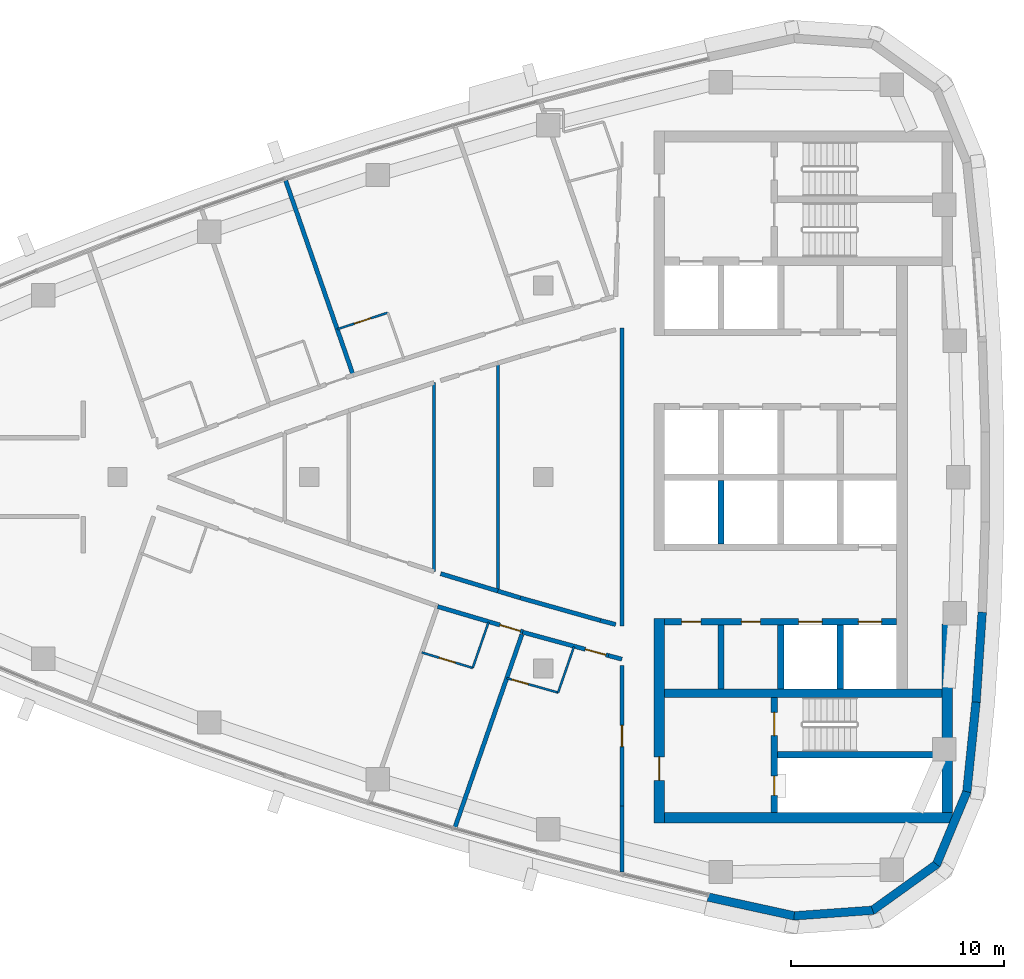
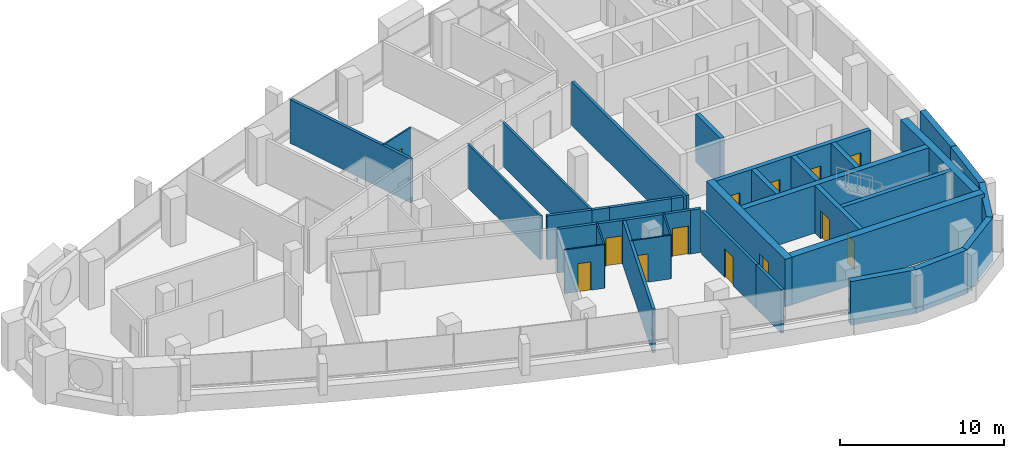
# One storey, part 8 of 14: 36 walls, 13 doors, 13 openings.
"""IFC4 building model written with IfcOpenShell, lengths in metres."""

from ifc_helpers import new_model, si_unit, direction, frame, frame_2d, origin, place, context, subcontext, project, spatial, polyline, rectangle, outline, extrude, material, layer, layer_set, type_object, element, fill, save


model = new_model("IFC4")

# Units and contexts
model_context = context("Model", 3, precision=1e-05, world=origin(), true_north=direction((0.0, 1.0)))
body_context = subcontext(model_context, "Body", "Model", "MODEL_VIEW")
ifc_project = project(units=[si_unit("LENGTHUNIT", "METRE"), si_unit("AREAUNIT", "SQUARE_METRE"), si_unit("VOLUMEUNIT", "CUBIC_METRE"), si_unit("PLANEANGLEUNIT", "RADIAN"), si_unit("MASSUNIT", "GRAM", prefix="KILO")], contexts=[model_context])

# Site, building, storey
site_placement = place(None, origin())
site = spatial("IfcSite", under=ifc_project, at=site_placement, CompositionType="ELEMENT")
building_placement = place(site_placement, origin())
building = spatial("IfcBuilding", under=site, at=building_placement, Name="Ostrand Prow Hotel Tower", CompositionType="ELEMENT")
storey_placement = place(building_placement, frame((0.0, 0.0, 296.300048828125)))
storey = spatial("IfcBuildingStorey", under=building, at=storey_placement, Name="L75", CompositionType="ELEMENT", Elevation=296.300048828125)

# Wall, openings, doors
ifc_material_1 = material(Name="Concrete C50/60", Category="concrete")
ifc_layer_1 = layer(ifc_material_1, 0.300048828125)
ifc_layer_set_1 = layer_set([ifc_layer_1], Name="Concrete C50/60")
wall_type_1 = type_object("IfcWallType", Name="Core wall 300 C50/60", PredefinedType="SHEAR", material=ifc_layer_set_1)
wall_1_placement = place(storey_placement, frame((50.699951171875, -6.800048828125, 0.0), z_axis=(0.0, 0.0, 1.0), x_axis=(1.0, 0.0, 0.0)))
wall_1 = element("IfcWall", 1, at=wall_1_placement, inside=storey, type_object=wall_type_1, Name="Core wall PW-L2-S", PredefinedType="SHEAR", context=body_context, shape_type="SweptSolid", body=[
    extrude(rectangle(XDim=10.900146484375, YDim=0.300048828125, at=frame_2d((5.4501953125, 0.0))), origin(), (0.0, 0.0, 1.0), 3.550048828125),
])
opening_1_placement = place(wall_1_placement, frame((6.300048828125, 0.0, 0.0)))
opening_1 = element("IfcOpeningElement", 2, at=opening_1_placement, cuts=wall_1, Name="Opening LD", PredefinedType="OPENING", context=body_context, shape_type="SweptSolid", body=[
    extrude(rectangle(XDim=1.10009765625, YDim=2.10009765625, at=frame_2d((0.550048828125, 1.050048828125))), frame((0.0, 0.159912109375, 0.0), z_axis=(0.0, -1.0, 0.0), x_axis=(1.0, 0.0, 0.0)), (0.0, 0.0, 1.0), 0.320068359375),
])
opening_2_placement = place(wall_1_placement, frame((9.10009765625, 0.0, 0.0)))
opening_2 = element("IfcOpeningElement", 3, at=opening_2_placement, cuts=wall_1, Name="Opening LD", PredefinedType="OPENING", context=body_context, shape_type="SweptSolid", body=[
    extrude(rectangle(XDim=1.10009765625, YDim=2.10009765625, at=frame_2d((0.550048828125, 1.050048828125))), frame((0.0, 0.159912109375, 0.0), z_axis=(0.0, -1.0, 0.0), x_axis=(1.0, 0.0, 0.0)), (0.0, 0.0, 1.0), 0.320068359375),
])
opening_3_placement = place(wall_1_placement, frame((0.800048828125, 0.0, 0.0)))
opening_3 = element("IfcOpeningElement", 4, at=opening_3_placement, cuts=wall_1, Name="Opening FD2", PredefinedType="OPENING", context=body_context, shape_type="SweptSolid", body=[
    extrude(rectangle(XDim=0.89990234375, YDim=2.10009765625, at=frame_2d((0.449951171875, 1.050048828125))), frame((0.0, 0.159912109375, 0.0), z_axis=(0.0, -1.0, 0.0), x_axis=(1.0, 0.0, 0.0)), (0.0, 0.0, 1.0), 0.320068359375),
])
opening_4_placement = place(wall_1_placement, frame((3.60009765625, 0.0, 0.0)))
opening_4 = element("IfcOpeningElement", 5, at=opening_4_placement, cuts=wall_1, Name="Opening FD2", PredefinedType="OPENING", context=body_context, shape_type="SweptSolid", body=[
    extrude(rectangle(XDim=0.89990234375, YDim=2.10009765625, at=frame_2d((0.449951171875, 1.050048828125))), frame((0.0, 0.159912109375, 0.0), z_axis=(0.0, -1.0, 0.0), x_axis=(1.0, 0.0, 0.0)), (0.0, 0.0, 1.0), 0.320068359375),
])
ifc_material_2 = material(Name="Steel fire door", Category="steel")
door_type_1 = type_object("IfcDoorType", Name="Fire door 900 EI120", OperationType="SINGLE_SWING_LEFT", PredefinedType="DOOR", material=ifc_material_2)
door_1_placement = place(opening_3_placement, origin())
door_1 = element("IfcDoor", 6, at=door_1_placement, inside=storey, type_object=door_type_1, Name="DOOR", OperationType="SINGLE_SWING_LEFT", OverallHeight=2.10009765625, OverallWidth=0.89990234375, PredefinedType="DOOR", context=body_context, shape_type="SweptSolid", body=[
    extrude(rectangle(XDim=0.89990234375, YDim=2.10009765625, at=frame_2d((0.449951171875, 1.050048828125))), frame((0.0, 0.02490234375, 0.0), z_axis=(0.0, -1.0, 0.0), x_axis=(1.0, 0.0, 0.0)), (0.0, 0.0, 1.0), 0.050048828125),
])
fill(opening_3, door_1)
door_2_placement = place(opening_4_placement, origin())
door_2 = element("IfcDoor", 7, at=door_2_placement, inside=storey, type_object=door_type_1, Name="DOOR", OperationType="SINGLE_SWING_LEFT", OverallHeight=2.10009765625, OverallWidth=0.89990234375, PredefinedType="DOOR", context=body_context, shape_type="SweptSolid", body=[
    extrude(rectangle(XDim=0.89990234375, YDim=2.10009765625, at=frame_2d((0.449951171875, 1.050048828125))), frame((0.0, 0.02490234375, 0.0), z_axis=(0.0, -1.0, 0.0), x_axis=(1.0, 0.0, 0.0)), (0.0, 0.0, 1.0), 0.050048828125),
])
fill(opening_4, door_2)
ifc_material_3 = material(Name="Stainless steel door", Category="steel")
door_type_2 = type_object("IfcDoorType", Name="Lift landing door 1100", OperationType="DOUBLE_DOOR_SLIDING", PredefinedType="DOOR", material=ifc_material_3)
door_3_placement = place(opening_1_placement, origin())
door_3 = element("IfcDoor", 8, at=door_3_placement, inside=storey, type_object=door_type_2, Name="LIFT LANDING DOOR", OperationType="DOUBLE_DOOR_SLIDING", OverallHeight=2.10009765625, OverallWidth=1.10009765625, PredefinedType="DOOR", context=body_context, shape_type="SweptSolid", body=[
    extrude(rectangle(XDim=1.10009765625, YDim=2.10009765625, at=frame_2d((0.550048828125, 1.050048828125))), frame((0.0, 0.02490234375, 0.0), z_axis=(0.0, -1.0, 0.0), x_axis=(1.0, 0.0, 0.0)), (0.0, 0.0, 1.0), 0.050048828125),
])
fill(opening_1, door_3)
door_4_placement = place(opening_2_placement, origin())
door_4 = element("IfcDoor", 9, at=door_4_placement, inside=storey, type_object=door_type_2, Name="LIFT LANDING DOOR", OperationType="DOUBLE_DOOR_SLIDING", OverallHeight=2.10009765625, OverallWidth=1.10009765625, PredefinedType="DOOR", context=body_context, shape_type="SweptSolid", body=[
    extrude(rectangle(XDim=1.10009765625, YDim=2.10009765625, at=frame_2d((0.550048828125, 1.050048828125))), frame((0.0, 0.02490234375, 0.0), z_axis=(0.0, -1.0, 0.0), x_axis=(1.0, 0.0, 0.0)), (0.0, 0.0, 1.0), 0.050048828125),
])
fill(opening_2, door_4)

# Walls
for number, where, z_axis, x_axis, name in (
    (10, (53.35009765625, -3.14990234375, 0.0), (0.0, 0.0, 1.0), (0.0, 1.0, 0.0), "Core wall PW-R1-SB"),
    (11, (53.35009765625, -9.949951171875, 0.0), (0.0, 0.0, 1.0), (0.0, 1.0, 0.0), "Core wall PW-R1-SA"),
    (12, (56.14990234375, -9.949951171875, 0.0), (0.0, 0.0, 1.0), (0.0, 1.0, 0.0), "Core wall PW-R2-SA"),
    (13, (58.949951171875, -9.949951171875, 0.0), (0.0, 0.0, 1.0), (0.0, 1.0, 0.0), "Core wall PW-R3-SA"),
):
    element("IfcWall", number, at=place(storey_placement, frame(where, z_axis=z_axis, x_axis=x_axis)), inside=storey, type_object=wall_type_1, Name=name, PredefinedType="SHEAR", context=body_context, shape_type="SweptSolid", body=[
        extrude(rectangle(XDim=3.0, YDim=0.300048828125, at=frame_2d((1.5, 0.0))), origin(), (0.0, 0.0, 1.0), 3.550048828125),
    ])

# Wall, openings, doors
wall_2_placement = place(storey_placement, frame((55.85009765625, -15.75, 0.0), z_axis=(0.0, 0.0, 1.0), x_axis=(0.0, 1.0, 0.0)))
wall_2 = element("IfcWall", 14, at=wall_2_placement, inside=storey, type_object=wall_type_1, Name="Core wall PW-VS", PredefinedType="SHEAR", context=body_context, shape_type="SweptSolid", body=[
    extrude(rectangle(XDim=5.39990234375, YDim=0.300048828125, at=frame_2d((2.699951171875, 0.0))), origin(), (0.0, 0.0, 1.0), 3.550048828125),
])
opening_5_placement = place(wall_2_placement, frame((3.60009765625, 0.0, 0.0)))
opening_5 = element("IfcOpeningElement", 15, at=opening_5_placement, cuts=wall_2, Name="Opening FD1", PredefinedType="OPENING", context=body_context, shape_type="SweptSolid", body=[
    extrude(rectangle(XDim=1.10009765625, YDim=2.10009765625, at=frame_2d((0.550048828125, 1.050048828125))), frame((0.0, 0.159912109375, 0.0), z_axis=(0.0, -1.0, 0.0), x_axis=(1.0, 0.0, 0.0)), (0.0, 0.0, 1.0), 0.320068359375),
])
opening_6_placement = place(wall_2_placement, frame((0.800048828125, 0.0, 0.0)))
opening_6 = element("IfcOpeningElement", 16, at=opening_6_placement, cuts=wall_2, Name="Opening FD2", PredefinedType="OPENING", context=body_context, shape_type="SweptSolid", body=[
    extrude(rectangle(XDim=0.89990234375, YDim=2.10009765625, at=frame_2d((0.449951171875, 1.050048828125))), frame((0.0, 0.159912109375, 0.0), z_axis=(0.0, -1.0, 0.0), x_axis=(1.0, 0.0, 0.0)), (0.0, 0.0, 1.0), 0.320068359375),
])
ifc_material_4 = material(Name="Steel fire door", Category="steel")
door_type_3 = type_object("IfcDoorType", Name="Fire door 1100 EI120", OperationType="SINGLE_SWING_RIGHT", PredefinedType="DOOR", material=ifc_material_4)
door_5_placement = place(opening_5_placement, origin())
door_5 = element("IfcDoor", 17, at=door_5_placement, inside=storey, type_object=door_type_3, Name="FIRE DOOR", OperationType="SINGLE_SWING_RIGHT", OverallHeight=2.10009765625, OverallWidth=1.10009765625, PredefinedType="DOOR", context=body_context, shape_type="SweptSolid", body=[
    extrude(rectangle(XDim=1.10009765625, YDim=2.10009765625, at=frame_2d((0.550048828125, 1.050048828125))), frame((0.0, 0.02490234375, 0.0), z_axis=(0.0, -1.0, 0.0), x_axis=(1.0, 0.0, 0.0)), (0.0, 0.0, 1.0), 0.050048828125),
])
fill(opening_5, door_5)
door_6_placement = place(opening_6_placement, origin())
door_6 = element("IfcDoor", 18, at=door_6_placement, inside=storey, type_object=door_type_1, Name="FIRE DOOR", OperationType="SINGLE_SWING_LEFT", OverallHeight=2.10009765625, OverallWidth=0.89990234375, PredefinedType="DOOR", context=body_context, shape_type="SweptSolid", body=[
    extrude(rectangle(XDim=0.89990234375, YDim=2.10009765625, at=frame_2d((0.449951171875, 1.050048828125))), frame((0.0, 0.02490234375, 0.0), z_axis=(0.0, -1.0, 0.0), x_axis=(1.0, 0.0, 0.0)), (0.0, 0.0, 1.0), 0.050048828125),
])
fill(opening_6, door_6)

# Walls
wall_3_placement = place(storey_placement, frame((56.0, -13.050048828125, 0.0), z_axis=(0.0, 0.0, 1.0), x_axis=(1.0, 0.0, 0.0)))
element("IfcWall", 19, at=wall_3_placement, inside=storey, type_object=wall_type_1, Name="Core wall PW-ST2R", PredefinedType="SHEAR", context=body_context, shape_type="SweptSolid", body=[
    extrude(rectangle(XDim=7.719970703125, YDim=0.300048828125, at=frame_2d((3.85986328125, 0.0))), origin(), (0.0, 0.0, 1.0), 3.550048828125),
])
ifc_material_5 = material(Name="Concrete C50/60", Category="concrete")
ifc_layer_2 = layer(ifc_material_5, 0.39990234375)
ifc_layer_set_2 = layer_set([ifc_layer_2], Name="Concrete C50/60")
wall_type_2 = type_object("IfcWallType", Name="Core wall 400 C50/60", PredefinedType="SHEAR", material=ifc_layer_set_2)
wall_4_placement = place(storey_placement, frame((50.699951171875, -10.14990234375, 0.0), z_axis=(0.0, 0.0, 1.0), x_axis=(1.0, 0.0, 0.0)))
element("IfcWall", 20, at=wall_4_placement, inside=storey, type_object=wall_type_2, Name="Core wall PW-BS", PredefinedType="SHEAR", context=body_context, shape_type="SweptSolid", body=[
    extrude(rectangle(XDim=13.02001953125, YDim=0.39990234375, at=frame_2d((6.510009765625, 0.0))), origin(), (0.0, 0.0, 1.0), 3.550048828125),
])

# Wall, opening, door
ifc_material_6 = material(Name="Concrete C50/60", Category="concrete")
ifc_layer_3 = layer(ifc_material_6, 0.5)
ifc_layer_set_3 = layer_set([ifc_layer_3], Name="Concrete C50/60")
wall_type_3 = type_object("IfcWallType", Name="Core wall 500 C50/60", PredefinedType="SHEAR", material=ifc_layer_set_3)
wall_5_placement = place(storey_placement, frame((50.449951171875, -16.25, 0.0), z_axis=(0.0, 0.0, 1.0), x_axis=(0.0, 1.0, 0.0)))
wall_5 = element("IfcWall", 21, at=wall_5_placement, inside=storey, type_object=wall_type_3, Name="Core wall CW-W-S", PredefinedType="SHEAR", context=body_context, shape_type="SweptSolid", body=[
    extrude(rectangle(XDim=9.60009765625, YDim=0.5, at=frame_2d((4.800048828125, 0.0))), origin(), (0.0, 0.0, 1.0), 3.550048828125),
])
opening_7_placement = place(wall_5_placement, frame((2.0, 0.0, 0.0)))
opening_7 = element("IfcOpeningElement", 22, at=opening_7_placement, cuts=wall_5, Name="Opening FD1", PredefinedType="OPENING", context=body_context, shape_type="SweptSolid", body=[
    extrude(rectangle(XDim=1.10009765625, YDim=2.10009765625, at=frame_2d((0.550048828125, 1.050048828125))), frame((0.0, 0.260009765625, 0.0), z_axis=(0.0, -1.0, 0.0), x_axis=(1.0, 0.0, 0.0)), (0.0, 0.0, 1.0), 0.52001953125),
])
door_7_placement = place(opening_7_placement, origin())
door_7 = element("IfcDoor", 23, at=door_7_placement, inside=storey, type_object=door_type_3, Name="FIRE DOOR", OperationType="SINGLE_SWING_RIGHT", OverallHeight=2.10009765625, OverallWidth=1.10009765625, PredefinedType="DOOR", context=body_context, shape_type="SweptSolid", body=[
    extrude(rectangle(XDim=1.10009765625, YDim=2.10009765625, at=frame_2d((0.550048828125, 1.050048828125))), frame((0.0, 0.02490234375, 0.0), z_axis=(0.0, -1.0, 0.0), x_axis=(1.0, 0.0, 0.0)), (0.0, 0.0, 1.0), 0.050048828125),
])
fill(opening_7, door_7)

# Walls
wall_6_placement = place(storey_placement, frame((50.699951171875, -16.0, 0.0), z_axis=(0.0, 0.0, 1.0), x_axis=(1.0, 0.0, 0.0)))
element("IfcWall", 24, at=wall_6_placement, inside=storey, type_object=wall_type_3, Name="Core wall CW-S", PredefinedType="SHEAR", context=body_context, shape_type="SweptSolid", body=[
    extrude(rectangle(XDim=13.52001953125, YDim=0.5, at=frame_2d((6.760009765625, 0.0))), origin(), (0.0, 0.0, 1.0), 3.550048828125),
])
wall_7_placement = place(storey_placement, frame((63.969970703125, -15.75, 0.0), z_axis=(0.0, 0.0, 1.0), x_axis=(0.0, 1.0, 0.0)))
element("IfcWall", 25, at=wall_7_placement, inside=storey, type_object=wall_type_3, Name="Core wall CW-E-S", PredefinedType="SHEAR", context=body_context, shape_type="SweptSolid", body=[
    extrude(rectangle(XDim=8.8466796875, YDim=0.5, at=frame_2d((4.42333984375, 0.0))), origin(), (0.0, 0.0, 1.0), 3.550048828125),
])

# Wall, opening, door
ifc_material_7 = material(Name="Plasterboard partition")
ifc_layer_4 = layer(ifc_material_7, 0.10009765625)
ifc_layer_set_4 = layer_set([ifc_layer_4], Name="Plasterboard partition")
wall_type_4 = type_object("IfcWallType", Name="Partition 100 bathroom wall", PredefinedType="PARTITIONING", material=ifc_layer_set_4)
wall_8_placement = place(storey_placement, frame((35.31689453125, 6.948486328125, 0.0), z_axis=(0.0, 0.0, 1.0), x_axis=(0.950666002187, 0.310216299194, 0.0)))
wall_8 = element("IfcWall", 26, at=wall_8_placement, inside=storey, type_object=wall_type_4, Name="BATHROOM WALL", PredefinedType="PARTITIONING", context=body_context, shape_type="SweptSolid", body=[
    extrude(rectangle(XDim=2.500244140625, YDim=0.10009765625, at=frame_2d((1.25, 0.0))), origin(), (0.0, 0.0, 1.0), 3.25),
])
opening_8_placement = place(wall_8_placement, frame((0.85009765625, 0.0, 0.0)))
opening_8 = element("IfcOpeningElement", 27, at=opening_8_placement, cuts=wall_8, Name="Opening D2", PredefinedType="OPENING", context=body_context, shape_type="SweptSolid", body=[
    extrude(rectangle(XDim=0.800048828125, YDim=2.10009765625, at=frame_2d((0.39990234375, 1.050048828125))), frame((0.0, 0.06005859375, 0.0), z_axis=(0.0, -1.0, 0.0), x_axis=(1.0, 0.0, 0.0)), (0.0, 0.0, 1.0), 0.1201171875),
])
ifc_material_8 = material(Name="Timber door leaf", Category="wood")
door_type_4 = type_object("IfcDoorType", Name="Bathroom door 800", OperationType="SINGLE_SWING_LEFT", PredefinedType="DOOR", material=ifc_material_8)
door_8_placement = place(opening_8_placement, origin())
door_8 = element("IfcDoor", 28, at=door_8_placement, inside=storey, type_object=door_type_4, Name="DOOR", OperationType="SINGLE_SWING_LEFT", OverallHeight=2.10009765625, OverallWidth=0.800048828125, PredefinedType="DOOR", context=body_context, shape_type="SweptSolid", body=[
    extrude(rectangle(XDim=0.800048828125, YDim=2.10009765625, at=frame_2d((0.39990234375, 1.050048828125))), frame((0.0, 0.02490234375, 0.0), z_axis=(0.0, -1.0, 0.0), x_axis=(1.0, 0.0, 0.0)), (0.0, 0.0, 1.0), 0.050048828125),
])
fill(opening_8, door_8)

# Wall
wall_9_placement = place(storey_placement, frame((42.42822265625, -6.813232421875, 0.0), z_axis=(0.0, 0.0, 1.0), x_axis=(-0.327743427431, -0.944766767925, 0.0)))
element("IfcWall", 29, at=wall_9_placement, inside=storey, type_object=wall_type_4, Name="BATHROOM WALL", PredefinedType="PARTITIONING", context=body_context, shape_type="SweptSolid", body=[
    extrude(rectangle(XDim=2.27880859375, YDim=0.10009765625, at=frame_2d((1.139404296875, 0.0))), origin(), (0.0, 0.0, 1.0), 3.25),
])

# Wall, opening, door
wall_10_placement = place(storey_placement, frame((41.681396484375, -8.96630859375, 0.0), z_axis=(0.0, 0.0, 1.0), x_axis=(-0.956723503196, 0.290998519638, 0.0)))
wall_10 = element("IfcWall", 30, at=wall_10_placement, inside=storey, type_object=wall_type_4, Name="BATHROOM WALL", PredefinedType="PARTITIONING", context=body_context, shape_type="SweptSolid", body=[
    extrude(rectangle(XDim=2.501708984375, YDim=0.10009765625, at=frame_2d((1.2509765625, 0.0))), origin(), (0.0, 0.0, 1.0), 3.25),
])
opening_9_placement = place(wall_10_placement, frame((0.85009765625, 0.0, 0.0)))
opening_9 = element("IfcOpeningElement", 31, at=opening_9_placement, cuts=wall_10, Name="Opening D2", PredefinedType="OPENING", context=body_context, shape_type="SweptSolid", body=[
    extrude(rectangle(XDim=0.800048828125, YDim=2.10009765625, at=frame_2d((0.39990234375, 1.050048828125))), frame((0.0, 0.06005859375, 0.0), z_axis=(0.0, -1.0, 0.0), x_axis=(1.0, 0.0, 0.0)), (0.0, 0.0, 1.0), 0.1201171875),
])
door_9_placement = place(opening_9_placement, origin())
door_9 = element("IfcDoor", 32, at=door_9_placement, inside=storey, type_object=door_type_4, Name="DOOR", OperationType="SINGLE_SWING_LEFT", OverallHeight=2.10009765625, OverallWidth=0.800048828125, PredefinedType="DOOR", context=body_context, shape_type="SweptSolid", body=[
    extrude(rectangle(XDim=0.800048828125, YDim=2.10009765625, at=frame_2d((0.39990234375, 1.050048828125))), frame((0.0, 0.02490234375, 0.0), z_axis=(0.0, -1.0, 0.0), x_axis=(1.0, 0.0, 0.0)), (0.0, 0.0, 1.0), 0.050048828125),
])
fill(opening_9, door_9)

# Wall
wall_11_placement = place(storey_placement, frame((46.4404296875, -7.968994140625, 0.0), z_axis=(0.0, 0.0, 1.0), x_axis=(-0.327764902685, -0.944759317799, 0.0)))
element("IfcWall", 33, at=wall_11_placement, inside=storey, type_object=wall_type_4, Name="BATHROOM WALL", PredefinedType="PARTITIONING", context=body_context, shape_type="SweptSolid", body=[
    extrude(rectangle(XDim=2.28076171875, YDim=0.10009765625, at=frame_2d((1.140380859375, 0.0))), origin(), (0.0, 0.0, 1.0), 3.25),
])

# Wall, opening, door
wall_12_placement = place(storey_placement, frame((45.69287109375, -10.123779296875, 0.0), z_axis=(0.0, 0.0, 1.0), x_axis=(-0.962409173596, 0.271603723424, 0.0)))
wall_12 = element("IfcWall", 34, at=wall_12_placement, inside=storey, type_object=wall_type_4, Name="BATHROOM WALL", PredefinedType="PARTITIONING", context=body_context, shape_type="SweptSolid", body=[
    extrude(rectangle(XDim=2.50439453125, YDim=0.10009765625, at=frame_2d((1.252197265625, 0.0))), origin(), (0.0, 0.0, 1.0), 3.25),
])
opening_10_placement = place(wall_12_placement, frame((1.449951171875, 0.0, 0.0)))
opening_10 = element("IfcOpeningElement", 35, at=opening_10_placement, cuts=wall_12, Name="Opening D2", PredefinedType="OPENING", context=body_context, shape_type="SweptSolid", body=[
    extrude(rectangle(XDim=0.800048828125, YDim=2.10009765625, at=frame_2d((0.39990234375, 1.050048828125))), frame((0.0, 0.06005859375, 0.0), z_axis=(0.0, -1.0, 0.0), x_axis=(1.0, 0.0, 0.0)), (0.0, 0.0, 1.0), 0.1201171875),
])
door_10_placement = place(opening_10_placement, origin())
door_10 = element("IfcDoor", 36, at=door_10_placement, inside=storey, type_object=door_type_4, Name="DOOR", OperationType="SINGLE_SWING_LEFT", OverallHeight=2.10009765625, OverallWidth=0.800048828125, PredefinedType="DOOR", context=body_context, shape_type="SweptSolid", body=[
    extrude(rectangle(XDim=0.800048828125, YDim=2.10009765625, at=frame_2d((0.39990234375, 1.050048828125))), frame((0.0, 0.02490234375, 0.0), z_axis=(0.0, -1.0, 0.0), x_axis=(1.0, 0.0, 0.0)), (0.0, 0.0, 1.0), 0.050048828125),
])
fill(opening_10, door_10)

# Walls
ifc_material_9 = material(Name="Plasterboard partition")
ifc_layer_5 = layer(ifc_material_9, 0.14990234375)
ifc_layer_set_5 = layer_set([ifc_layer_5], Name="Plasterboard partition")
wall_type_5 = type_object("IfcWallType", Name="Partition 150 room partition", PredefinedType="PARTITIONING", material=ifc_layer_set_5)
wall_13_placement = place(storey_placement, frame((39.865966796875, -4.435302734375, 0.0), z_axis=(0.0, 0.0, 1.0), x_axis=(0.0, 1.0, 0.0)))
element("IfcWall", 37, at=wall_13_placement, inside=storey, type_object=wall_type_5, Name="ROOM PARTITION", PredefinedType="PARTITIONING", context=body_context, shape_type="SweptSolid", body=[
    extrude(rectangle(XDim=8.87060546875, YDim=0.14990234375, at=frame_2d((4.435302734375, 0.0))), origin(), (0.0, 0.0, 1.0), 3.25),
])
wall_14_placement = place(storey_placement, frame((42.865966796875, -5.3544921875, 0.0), z_axis=(0.0, 0.0, 1.0), x_axis=(0.0, 1.0, 0.0)))
element("IfcWall", 38, at=wall_14_placement, inside=storey, type_object=wall_type_5, Name="ROOM PARTITION", PredefinedType="PARTITIONING", context=body_context, shape_type="SweptSolid", body=[
    extrude(rectangle(XDim=10.708984375, YDim=0.14990234375, at=frame_2d((5.3544921875, 0.0))), origin(), (0.0, 0.0, 1.0), 3.25),
])

# Wall, opening, door
ifc_material_10 = material(Name="Plasterboard partition")
ifc_layer_6 = layer(ifc_material_10, 0.199951171875)
ifc_layer_set_6 = layer_set([ifc_layer_6], Name="Plasterboard partition")
wall_type_6 = type_object("IfcWallType", Name="Partition 200 corridor wall", PredefinedType="PARTITIONING", material=ifc_layer_set_6)
wall_15_placement = place(storey_placement, frame((40.035400390625, -6.08251953125, 0.0), z_axis=(0.0, 0.0, 1.0), x_axis=(0.958901312153, -0.283739799027, 0.0)))
wall_15 = element("IfcWall", 39, at=wall_15_placement, inside=storey, type_object=wall_type_6, Name="CORRIDOR WALL", PredefinedType="PARTITIONING", context=body_context, shape_type="SweptSolid", body=[
    extrude(rectangle(XDim=4.174072265625, YDim=0.199951171875, at=frame_2d((2.0869140625, 0.0))), origin(), (0.0, 0.0, 1.0), 3.25),
])
opening_11_placement = place(wall_15_placement, frame((3.050048828125, 0.0, 0.0)))
opening_11 = element("IfcOpeningElement", 40, at=opening_11_placement, cuts=wall_15, Name="Opening D1R", PredefinedType="OPENING", context=body_context, shape_type="SweptSolid", body=[
    extrude(rectangle(XDim=1.0, YDim=2.10009765625, at=frame_2d((0.5, 1.050048828125))), frame((0.0, 0.10986328125, 0.0), z_axis=(0.0, -1.0, 0.0), x_axis=(1.0, 0.0, 0.0)), (0.0, 0.0, 1.0), 0.219970703125),
])
ifc_material_11 = material(Name="Timber door leaf", Category="wood")
door_type_5 = type_object("IfcDoorType", Name="Guest room door 1000 right", OperationType="SINGLE_SWING_RIGHT", PredefinedType="DOOR", material=ifc_material_11)
door_11_placement = place(opening_11_placement, origin())
door_11 = element("IfcDoor", 41, at=door_11_placement, inside=storey, type_object=door_type_5, Name="DOOR", OperationType="SINGLE_SWING_RIGHT", OverallHeight=2.10009765625, OverallWidth=1.0, PredefinedType="DOOR", context=body_context, shape_type="SweptSolid", body=[
    extrude(rectangle(XDim=1.0, YDim=2.10009765625, at=frame_2d((0.5, 1.050048828125))), frame((0.0, 0.02490234375, 0.0), z_axis=(0.0, -1.0, 0.0), x_axis=(1.0, 0.0, 0.0)), (0.0, 0.0, 1.0), 0.050048828125),
])
fill(opening_11, door_11)

wall_16_placement = place(storey_placement, frame((44.03125, -7.285888671875, 0.0), z_axis=(0.0, 0.0, 1.0), x_axis=(0.964708521199, -0.263320088726, 0.0)))
wall_16 = element("IfcWall", 42, at=wall_16_placement, inside=storey, type_object=wall_type_6, Name="CORRIDOR WALL", PredefinedType="PARTITIONING", context=body_context, shape_type="SweptSolid", body=[
    extrude(rectangle(XDim=4.1787109375, YDim=0.199951171875, at=frame_2d((2.08935546875, 0.0))), origin(), (0.0, 0.0, 1.0), 3.25),
])
opening_12_placement = place(wall_16_placement, frame((3.050048828125, 0.0, 0.0)))
opening_12 = element("IfcOpeningElement", 43, at=opening_12_placement, cuts=wall_16, Name="Opening D1R", PredefinedType="OPENING", context=body_context, shape_type="SweptSolid", body=[
    extrude(rectangle(XDim=1.0, YDim=2.10009765625, at=frame_2d((0.5, 1.050048828125))), frame((0.0, 0.10986328125, 0.0), z_axis=(0.0, -1.0, 0.0), x_axis=(1.0, 0.0, 0.0)), (0.0, 0.0, 1.0), 0.219970703125),
])
door_12_placement = place(opening_12_placement, origin())
door_12 = element("IfcDoor", 44, at=door_12_placement, inside=storey, type_object=door_type_5, Name="DOOR", OperationType="SINGLE_SWING_RIGHT", OverallHeight=2.10009765625, OverallWidth=1.0, PredefinedType="DOOR", context=body_context, shape_type="SweptSolid", body=[
    extrude(rectangle(XDim=1.0, YDim=2.10009765625, at=frame_2d((0.5, 1.050048828125))), frame((0.0, 0.02490234375, 0.0), z_axis=(0.0, -1.0, 0.0), x_axis=(1.0, 0.0, 0.0)), (0.0, 0.0, 1.0), 0.050048828125),
])
fill(opening_12, door_12)

# Walls
wall_17_placement = place(storey_placement, frame((42.865966796875, -5.3544921875, 0.0), z_axis=(0.0, 0.0, 1.0), x_axis=(-0.956742178936, 0.290937111838, 0.0)))
element("IfcWall", 45, at=wall_17_placement, inside=storey, type_object=wall_type_6, Name="CORRIDOR WALL", PredefinedType="PARTITIONING", context=body_context, shape_type="SweptSolid", body=[
    extrude(rectangle(XDim=2.812744140625, YDim=0.199951171875, at=frame_2d((1.40625, 0.0))), origin(), (0.0, 0.0, 1.0), 3.25),
])
wall_18_placement = place(storey_placement, frame((47.684326171875, -6.737548828125, 0.0), z_axis=(0.0, 0.0, 1.0), x_axis=(-0.962411212211, 0.271596499628, 0.0)))
element("IfcWall", 46, at=wall_18_placement, inside=storey, type_object=wall_type_6, Name="CORRIDOR WALL", PredefinedType="PARTITIONING", context=body_context, shape_type="SweptSolid", body=[
    extrude(rectangle(XDim=3.912841796875, YDim=0.199951171875, at=frame_2d((1.95654296875, 0.0))), origin(), (0.0, 0.0, 1.0), 3.25),
])
wall_19_placement = place(storey_placement, frame((43.91845703125, -5.6748046875, 0.0), z_axis=(0.0, 0.0, 1.0), x_axis=(-0.956676567943, 0.291152785233, 0.0)))
element("IfcWall", 47, at=wall_19_placement, inside=storey, type_object=wall_type_6, Name="CORRIDOR WALL", PredefinedType="PARTITIONING", context=body_context, shape_type="SweptSolid", body=[
    extrude(rectangle(XDim=1.10009765625, YDim=0.199951171875, at=frame_2d((0.550048828125, 0.0))), origin(), (0.0, 0.0, 1.0), 3.25),
])
wall_20_placement = place(storey_placement, frame((48.39990234375, -6.92431640625, 0.0), z_axis=(0.0, 0.0, 1.0), x_axis=(-0.967585713416, 0.252542842294, 0.0)))
element("IfcWall", 48, at=wall_20_placement, inside=storey, type_object=wall_type_6, Name="CORRIDOR WALL", PredefinedType="PARTITIONING", context=body_context, shape_type="SweptSolid", body=[
    extrude(rectangle(XDim=0.739501953125, YDim=0.199951171875, at=frame_2d((0.36962890625, 0.0))), origin(), (0.0, 0.0, 1.0), 3.25),
])

# Wall, opening, door
wall_21_placement = place(storey_placement, frame((48.695068359375, -8.85205078125, 0.0), z_axis=(0.0, 0.0, 1.0), x_axis=(0.0, -1.0, 0.0)))
wall_21 = element("IfcWall", 49, at=wall_21_placement, inside=storey, type_object=wall_type_6, Name="CORRIDOR WALL", PredefinedType="PARTITIONING", context=body_context, shape_type="SweptSolid", body=[
    extrude(rectangle(XDim=6.60302734375, YDim=0.199951171875, at=frame_2d((3.301513671875, 0.0))), origin(), (0.0, 0.0, 1.0), 3.25),
])
opening_13_placement = place(wall_21_placement, frame((2.81591796875, 0.0, 0.0)))
opening_13 = element("IfcOpeningElement", 50, at=opening_13_placement, cuts=wall_21, Name="Opening D1R", PredefinedType="OPENING", context=body_context, shape_type="SweptSolid", body=[
    extrude(rectangle(XDim=1.0, YDim=2.10009765625, at=frame_2d((0.5, 1.050048828125))), frame((0.0, 0.10986328125, 0.0), z_axis=(0.0, -1.0, 0.0), x_axis=(1.0, 0.0, 0.0)), (0.0, 0.0, 1.0), 0.219970703125),
])
door_13_placement = place(opening_13_placement, origin())
door_13 = element("IfcDoor", 51, at=door_13_placement, inside=storey, type_object=door_type_5, Name="DOOR", OperationType="SINGLE_SWING_RIGHT", OverallHeight=2.10009765625, OverallWidth=1.0, PredefinedType="DOOR", context=body_context, shape_type="SweptSolid", body=[
    extrude(rectangle(XDim=1.0, YDim=2.10009765625, at=frame_2d((0.5, 1.050048828125))), frame((0.0, 0.02490234375, 0.0), z_axis=(0.0, -1.0, 0.0), x_axis=(1.0, 0.0, 0.0)), (0.0, 0.0, 1.0), 0.050048828125),
])
fill(opening_13, door_13)

# Walls
wall_22_placement = place(storey_placement, frame((48.695068359375, 6.995849609375, 0.0), z_axis=(0.0, 0.0, 1.0), x_axis=(0.0, -1.0, 0.0)))
element("IfcWall", 52, at=wall_22_placement, inside=storey, type_object=wall_type_6, Name="CORRIDOR WALL", PredefinedType="PARTITIONING", context=body_context, shape_type="SweptSolid", body=[
    extrude(rectangle(XDim=13.99169921875, YDim=0.199951171875, at=frame_2d((6.995849609375, 0.0))), origin(), (0.0, 0.0, 1.0), 3.25),
])
wall_23_placement = place(storey_placement, frame((48.0625, -8.38623046875, 0.0), z_axis=(0.0, 0.0, 1.0), x_axis=(0.965669715173, -0.259772980114, 0.0)))
element("IfcWall", 53, at=wall_23_placement, inside=storey, type_object=wall_type_6, Name="CORRIDOR WALL", PredefinedType="PARTITIONING", context=body_context, shape_type="SweptSolid", body=[
    extrude(rectangle(XDim=0.655029296875, YDim=0.199951171875, at=frame_2d((0.32763671875, 0.0))), origin(), (0.0, 0.0, 1.0), 3.25),
])
wall_24_placement = place(storey_placement, frame((48.695068359375, -15.455078125, 0.0), z_axis=(0.0, 0.0, 1.0), x_axis=(0.0, -1.0, 0.0)))
element("IfcWall", 54, at=wall_24_placement, inside=storey, type_object=wall_type_6, Name="CORRIDOR WALL", PredefinedType="PARTITIONING", context=body_context, shape_type="SweptSolid", body=[
    extrude(rectangle(XDim=3.09814453125, YDim=0.199951171875, at=frame_2d((1.549072265625, 0.0))), origin(), (0.0, 0.0, 1.0), 3.25),
])
ifc_material_12 = material(Name="Plasterboard partition")
ifc_layer_7 = layer(ifc_material_12, 0.199951171875)
ifc_layer_set_7 = layer_set([ifc_layer_7], Name="Plasterboard partition")
wall_type_7 = type_object("IfcWallType", Name="Partition 200 key partition", PredefinedType="PARTITIONING", material=ifc_layer_set_7)
wall_25_placement = place(storey_placement, frame((36.07080078125, 4.775390625, 0.0), z_axis=(0.0, 0.0, 1.0), x_axis=(-0.327725028322, 0.94477315045, 0.0)))
element("IfcWall", 55, at=wall_25_placement, inside=storey, type_object=wall_type_7, Name="KEY PARTITION", PredefinedType="PARTITIONING", context=body_context, shape_type="SweptSolid", body=[
    extrude(rectangle(XDim=9.70166015625, YDim=0.199951171875, at=frame_2d((4.850830078125, 0.0))), origin(), (0.0, 0.0, 1.0), 3.25),
])
wall_26_placement = place(storey_placement, frame((40.853515625, -16.447021484375, 0.0), z_axis=(0.0, 0.0, 1.0), x_axis=(0.327714654767, 0.944776748788, 0.0)))
element("IfcWall", 56, at=wall_26_placement, inside=storey, type_object=wall_type_7, Name="KEY PARTITION", PredefinedType="PARTITIONING", context=body_context, shape_type="SweptSolid", body=[
    extrude(rectangle(XDim=9.57666015625, YDim=0.199951171875, at=frame_2d((4.788330078125, 0.0))), origin(), (0.0, 0.0, 1.0), 3.25),
])
ifc_material_13 = material(Name="Precast concrete C40/50", Category="concrete")
ifc_layer_8 = layer(ifc_material_13, 0.39990234375)
ifc_layer_set_8 = layer_set([ifc_layer_8], Name="Precast concrete C40/50")
wall_type_8 = type_object("IfcWallType", Name="Stone-faced precast wall 400 mm", PredefinedType="NOTDEFINED", material=ifc_layer_set_8)
wall_27_placement = place(storey_placement, frame((52.73828125, -19.73193359375, 0.0), z_axis=(0.0, 0.0, 1.0), x_axis=(0.977020225348, -0.213146614471, 0.0)))
element("IfcWall", 57, at=wall_27_placement, inside=storey, type_object=wall_type_8, Name="Stone-faced wall back 1", PredefinedType="NOTDEFINED", context=body_context, shape_type="SweptSolid", body=[
    extrude(outline(polyline([(0.0, -0.199951171875), (4.170654296875, -0.199951171875), (4.113037109375, 0.199951171875), (0.0, 0.199951171875), (0.0, -0.199951171875)])), origin(), (0.0, 0.0, 1.0), 3.25),
])
wall_28_placement = place(storey_placement, frame((56.784912109375, -20.61474609375, 0.0), z_axis=(0.0, 0.0, 1.0), x_axis=(0.99746272096, 0.071190731806, 0.0)))
element("IfcWall", 58, at=wall_28_placement, inside=storey, type_object=wall_type_8, Name="Stone-faced wall back 2", PredefinedType="NOTDEFINED", context=body_context, shape_type="SweptSolid", body=[
    extrude(outline(polyline([(-0.02880859375, -0.199951171875), (3.75341796875, -0.199951171875), (3.64013671875, 0.199951171875), (0.02880859375, 0.199951171875), (-0.02880859375, -0.199951171875)])), origin(), (0.0, 0.0, 1.0), 3.25),
])
wall_29_placement = place(storey_placement, frame((60.472412109375, -20.3515625, 0.0), z_axis=(0.0, 0.0, 1.0), x_axis=(0.811962548682, 0.583709533533, 0.0)))
element("IfcWall", 59, at=wall_29_placement, inside=storey, type_object=wall_type_8, Name="Stone-faced wall back 3", PredefinedType="NOTDEFINED", context=body_context, shape_type="SweptSolid", body=[
    extrude(outline(polyline([(-0.056640625, -0.199951171875), (3.753173828125, -0.199951171875), (3.639892578125, 0.199951171875), (0.056640625, 0.199951171875), (-0.056640625, -0.199951171875)])), origin(), (0.0, 0.0, 1.0), 3.25),
])
wall_30_placement = place(storey_placement, frame((63.473876953125, -18.19384765625, 0.0), z_axis=(0.0, 0.0, 1.0), x_axis=(0.385285857918, 0.922797273343, 0.0)))
element("IfcWall", 60, at=wall_30_placement, inside=storey, type_object=wall_type_8, Name="Stone-faced wall back 4", PredefinedType="NOTDEFINED", context=body_context, shape_type="SweptSolid", body=[
    extrude(outline(polyline([(-0.056640625, -0.199951171875), (3.726318359375, -0.199951171875), (3.667236328125, 0.199951171875), (0.056640625, 0.199951171875), (-0.056640625, -0.199951171875)])), origin(), (0.0, 0.0, 1.0), 3.25),
])
wall_31_placement = place(storey_placement, frame((64.898193359375, -14.782470703125, 0.0), z_axis=(0.0, 0.0, 1.0), x_axis=(0.102249826987, 0.994758751096, 0.0)))
element("IfcWall", 61, at=wall_31_placement, inside=storey, type_object=wall_type_8, Name="Stone-faced wall back 5", PredefinedType="NOTDEFINED", context=body_context, shape_type="SweptSolid", body=[
    extrude(outline(polyline([(-0.029541015625, -0.199951171875), (4.23681640625, -0.199951171875), (4.22998046875, 0.199951171875), (0.029541015625, 0.199951171875), (-0.029541015625, -0.199951171875)])), origin(), (0.0, 0.0, 1.0), 3.25),
])
wall_32_placement = place(storey_placement, frame((65.3310546875, -10.5712890625, 0.0), z_axis=(0.0, 0.0, 1.0), x_axis=(0.068279584479, 0.997666225921, 0.0)))
element("IfcWall", 62, at=wall_32_placement, inside=storey, type_object=wall_type_8, Name="Stone-faced wall back 6", PredefinedType="NOTDEFINED", context=body_context, shape_type="SweptSolid", body=[
    extrude(outline(polyline([(-0.00341796875, -0.199951171875), (4.23681640625, -0.199951171875), (4.22998046875, 0.199951171875), (0.00341796875, 0.199951171875), (-0.00341796875, -0.199951171875)])), origin(), (0.0, 0.0, 1.0), 3.25),
])

save(model, "model.ifc")
